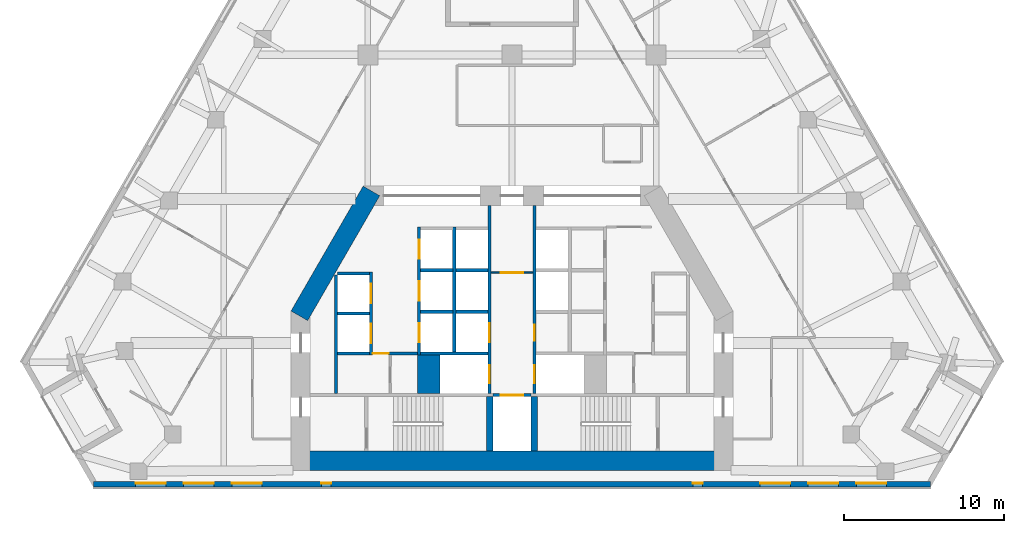
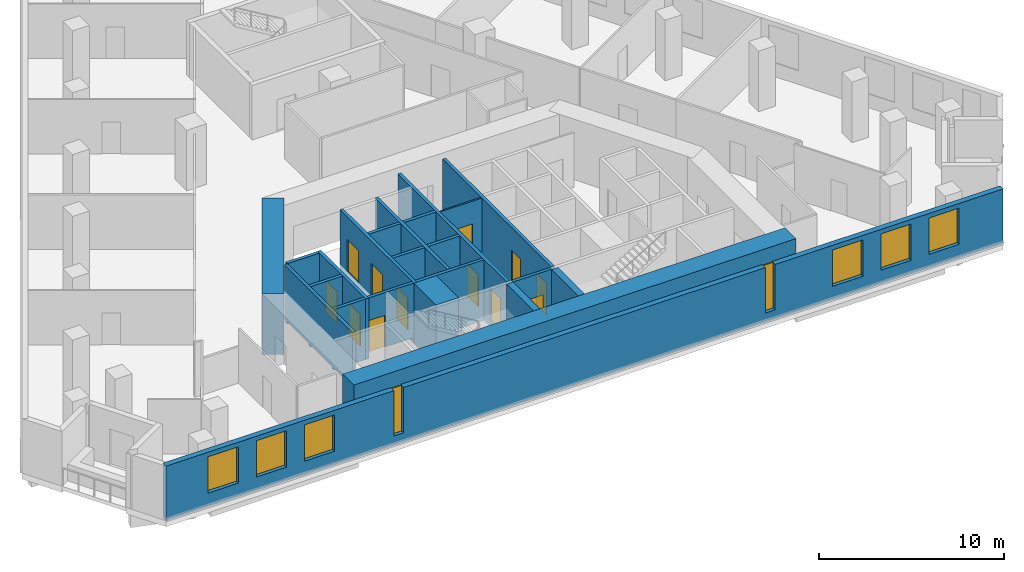
# One storey, part 4 of 9: 23 walls, 12 doors, 8 windows, 20 openings.
"""IFC4 building model written with IfcOpenShell, lengths in metres."""

from ifc_helpers import new_model, si_unit, direction, frame, frame_2d, origin, place, context, subcontext, project, spatial, rectangle, extrude, material, layer, layer_set, type_object, element, fill, save


model = new_model("IFC4")

# Units and contexts
model_context = context("Model", 3, precision=1e-05, world=origin(), true_north=direction((0.0, 1.0)))
body_context = subcontext(model_context, "Body", "Model", "MODEL_VIEW")
ifc_project = project(units=[si_unit("LENGTHUNIT", "METRE"), si_unit("AREAUNIT", "SQUARE_METRE"), si_unit("VOLUMEUNIT", "CUBIC_METRE"), si_unit("PLANEANGLEUNIT", "RADIAN"), si_unit("MASSUNIT", "GRAM", prefix="KILO")], contexts=[model_context])

# Site, building, storey
site_placement = place(None, origin())
site = spatial("IfcSite", under=ifc_project, at=site_placement, CompositionType="ELEMENT")
building_placement = place(site_placement, origin())
building = spatial("IfcBuilding", under=site, at=building_placement, Name="Fogline Exchange Tower", CompositionType="ELEMENT")
storey_placement = place(building_placement, frame((0.0, 0.0, 96.10009765625)))
storey = spatial("IfcBuildingStorey", under=building, at=storey_placement, Name="L20", CompositionType="ELEMENT", Elevation=96.10009765625)

# Wall, opening, door
ifc_material_1 = material(Name="Blockwork partition", Category="masonry")
ifc_layer_1 = layer(ifc_material_1, 0.10009765625)
ifc_layer_set_1 = layer_set([ifc_layer_1], Name="CW10")
wall_type_1 = type_object("IfcWallType", Name="CW10", PredefinedType="PARTITIONING", material=ifc_layer_set_1)
wall_1_placement = place(storey_placement, frame((-1.300048828125, 13.39990234375, 0.0), z_axis=(0.0, 0.0, 1.0), x_axis=(1.0, 0.0, 0.0)))
wall_1 = element("IfcWall", 1, at=wall_1_placement, inside=storey, type_object=wall_type_1, Name="Lift lobby partition", PredefinedType="PARTITIONING", context=body_context, shape_type="SweptSolid", body=[
    extrude(rectangle(XDim=2.60009765625, YDim=0.10009765625, at=frame_2d((1.300048828125, 0.0))), origin(), (0.0, 0.0, 1.0), 3.599853515625),
])
opening_1_placement = place(wall_1_placement, frame((0.60009765625, 0.0, 0.0)))
opening_1 = element("IfcOpeningElement", 2, at=opening_1_placement, cuts=wall_1, Name="Opening T06-C018", PredefinedType="OPENING", context=body_context, shape_type="SweptSolid", body=[
    extrude(rectangle(XDim=1.39990234375, YDim=2.10009765625, at=frame_2d((0.699951171875, 1.050048828125))), frame((0.0, 0.06005859375, 0.0), z_axis=(0.0, -1.0, 0.0), x_axis=(1.0, 0.0, 0.0)), (0.0, 0.0, 1.0), 0.1201171875),
])
ifc_material_2 = material(Name="Steel and timber fire door", Category="steel")
door_type_1 = type_object("IfcDoorType", Name="D-LB1", OperationType="DOUBLE_DOOR_SINGLE_SWING", PredefinedType="DOOR", material=ifc_material_2)
door_1_placement = place(opening_1_placement, origin())
door_1 = element("IfcDoor", 3, at=door_1_placement, inside=storey, type_object=door_type_1, Name="Door to firefighting lift lobby", OperationType="DOUBLE_DOOR_SINGLE_SWING", OverallHeight=2.10009765625, OverallWidth=1.39990234375, PredefinedType="DOOR", context=body_context, shape_type="SweptSolid", body=[
    extrude(rectangle(XDim=1.39990234375, YDim=2.10009765625, at=frame_2d((0.699951171875, 1.050048828125))), frame((0.0, 0.02490234375, 0.0), z_axis=(0.0, -1.0, 0.0), x_axis=(1.0, 0.0, 0.0)), (0.0, 0.0, 1.0), 0.050048828125),
])
fill(opening_1, door_1)

# Walls
ifc_material_3 = material(Name="Concrete C60", Category="concrete")
ifc_layer_2 = layer(ifc_material_3, 1.39990234375)
ifc_layer_set_2 = layer_set([ifc_layer_2], Name="CW140")
wall_type_2 = type_object("IfcWallType", Name="CW140", PredefinedType="SOLIDWALL", material=ifc_layer_set_2)
wall_2_placement = place(storey_placement, frame((-5.199951171875, 5.85009765625, -0.400146484375), z_axis=(0.0, 0.0, 1.0), x_axis=(0.0, 1.0, 0.0)))
element("IfcWall", 4, at=wall_2_placement, inside=storey, type_object=wall_type_2, Name="Lift shaft block wall", PredefinedType="SOLIDWALL", context=body_context, shape_type="SweptSolid", body=[
    extrude(rectangle(XDim=2.39990234375, YDim=1.39990234375, at=frame_2d((1.199951171875, 0.0))), origin(), (0.0, 0.0, 1.0), 4.0),
])
ifc_material_4 = material(Name="Concrete C40", Category="concrete")
ifc_layer_3 = layer(ifc_material_4, 0.199951171875)
ifc_layer_set_3 = layer_set([ifc_layer_3], Name="CW20")
wall_type_3 = type_object("IfcWallType", Name="CW20", PredefinedType="SOLIDWALL", material=ifc_layer_set_3)
wall_3_placement = place(storey_placement, frame((-11.0, 5.85009765625, 0.0), z_axis=(0.0, 0.0, 1.0), x_axis=(0.0, 1.0, 0.0)))
element("IfcWall", 5, at=wall_3_placement, inside=storey, type_object=wall_type_3, Name="Service room wall", PredefinedType="SOLIDWALL", context=body_context, shape_type="SweptSolid", body=[
    extrude(rectangle(XDim=7.39990234375, YDim=0.199951171875, at=frame_2d((3.699951171875, 0.0))), origin(), (0.0, 0.0, 1.0), 3.599853515625),
])

# Wall, opening, door
wall_4_placement = place(storey_placement, frame((-8.699951171875, 8.35009765625, 0.0), z_axis=(0.0, 0.0, 1.0), x_axis=(1.0, 0.0, 0.0)))
wall_4 = element("IfcWall", 6, at=wall_4_placement, inside=storey, type_object=wall_type_3, Name="WC wall", PredefinedType="SOLIDWALL", context=body_context, shape_type="SweptSolid", body=[
    extrude(rectangle(XDim=2.800048828125, YDim=0.199951171875, at=frame_2d((1.39990234375, 0.0))), origin(), (0.0, 0.0, 1.0), 3.599853515625),
])
opening_2_placement = place(wall_4_placement, origin())
opening_2 = element("IfcOpeningElement", 7, at=opening_2_placement, cuts=wall_4, Name="Opening T06-C007", PredefinedType="OPENING", context=body_context, shape_type="SweptSolid", body=[
    extrude(rectangle(XDim=1.0, YDim=2.10009765625, at=frame_2d((0.5, 1.050048828125))), frame((0.0, 0.10986328125, 0.0), z_axis=(0.0, -1.0, 0.0), x_axis=(1.0, 0.0, 0.0)), (0.0, 0.0, 1.0), 0.219970703125),
])
door_type_2 = type_object("IfcDoorType", Name="D-WC1", OperationType="SINGLE_SWING_LEFT", PredefinedType="DOOR", material=ifc_material_2)
door_2_placement = place(opening_2_placement, frame((1.0, 0.0, 0.0), z_axis=(0.0, 0.0, 1.0), x_axis=(-1.0, 0.0, 0.0)))
door_2 = element("IfcDoor", 8, at=door_2_placement, inside=storey, type_object=door_type_2, Name="Door to Men's WC", OperationType="SINGLE_SWING_LEFT", OverallHeight=2.10009765625, OverallWidth=1.0, PredefinedType="DOOR", context=body_context, shape_type="SweptSolid", body=[
    extrude(rectangle(XDim=1.0, YDim=2.10009765625, at=frame_2d((0.5, 1.050048828125))), frame((0.0, 0.02490234375, 0.0), z_axis=(0.0, -1.0, 0.0), x_axis=(1.0, 0.0, 0.0)), (0.0, 0.0, 1.0), 0.050048828125),
])
fill(opening_2, door_2)

ifc_layer_4 = layer(ifc_material_4, 0.199951171875)
ifc_layer_set_4 = layer_set([ifc_layer_4], Name="CW20R")
wall_type_4 = type_object("IfcWallType", Name="CW20R", PredefinedType="SOLIDWALL", material=ifc_layer_set_4)
wall_5_placement = place(storey_placement, frame((-1.199951171875, 5.75, -0.400146484375), z_axis=(0.0, 0.0, 1.0), x_axis=(1.0, 0.0, 0.0)))
wall_5 = element("IfcWall", 9, at=wall_5_placement, inside=storey, type_object=wall_type_4, Name="Stair enclosure wall", PredefinedType="SOLIDWALL", context=body_context, shape_type="SweptSolid", body=[
    extrude(rectangle(XDim=2.39990234375, YDim=0.199951171875, at=frame_2d((1.199951171875, 0.0))), origin(), (0.0, 0.0, 1.0), 4.0),
])
opening_3_placement = place(wall_5_placement, frame((0.5, 0.0, 0.39990234375)))
opening_3 = element("IfcOpeningElement", 10, at=opening_3_placement, cuts=wall_5, Name="Opening T06-LD09", PredefinedType="OPENING", context=body_context, shape_type="SweptSolid", body=[
    extrude(rectangle(XDim=1.39990234375, YDim=2.10009765625, at=frame_2d((0.699951171875, 1.050048828125))), frame((0.0, 0.10986328125, 0.0), z_axis=(0.0, -1.0, 0.0), x_axis=(1.0, 0.0, 0.0)), (0.0, 0.0, 1.0), 0.219970703125),
])
door_type_3 = type_object("IfcDoorType", Name="LD3", OperationType="SLIDING_TO_LEFT", PredefinedType="DOOR", material=ifc_material_2)
door_3_placement = place(opening_3_placement, origin())
door_3 = element("IfcDoor", 11, at=door_3_placement, inside=storey, type_object=door_type_3, Name="Landing door GL1", OperationType="SLIDING_TO_LEFT", OverallHeight=2.10009765625, OverallWidth=1.39990234375, PredefinedType="DOOR", context=body_context, shape_type="SweptSolid", body=[
    extrude(rectangle(XDim=1.39990234375, YDim=2.10009765625, at=frame_2d((0.699951171875, 1.050048828125))), frame((0.0, 0.02490234375, 0.0), z_axis=(0.0, -1.0, 0.0), x_axis=(1.0, 0.0, 0.0)), (0.0, 0.0, 1.0), 0.050048828125),
])
fill(opening_3, door_3)

# Wall, openings, doors
ifc_layer_5 = layer(ifc_material_4, 0.199951171875)
ifc_layer_set_5 = layer_set([ifc_layer_5], Name="CW20S")
wall_type_5 = type_object("IfcWallType", Name="CW20S", PredefinedType="SOLIDWALL", material=ifc_layer_set_5)
wall_6_placement = place(storey_placement, frame((-8.800048828125, 8.25, -0.400146484375), z_axis=(0.0, 0.0, 1.0), x_axis=(0.0, 1.0, 0.0)))
wall_6 = element("IfcWall", 12, at=wall_6_placement, inside=storey, type_object=wall_type_5, Name="Lift shaft wall", PredefinedType="SOLIDWALL", context=body_context, shape_type="SweptSolid", body=[
    extrude(rectangle(XDim=5.199951171875, YDim=0.199951171875, at=frame_2d((2.60009765625, 0.0))), origin(), (0.0, 0.0, 1.0), 4.0),
])
opening_4_placement = place(wall_6_placement, frame((0.75, 0.0, 0.39990234375)))
opening_4 = element("IfcOpeningElement", 13, at=opening_4_placement, cuts=wall_6, Name="Opening T06-LD01", PredefinedType="OPENING", context=body_context, shape_type="SweptSolid", body=[
    extrude(rectangle(XDim=1.199951171875, YDim=2.10009765625, at=frame_2d((0.60009765625, 1.050048828125))), frame((0.0, 0.10986328125, 0.0), z_axis=(0.0, -1.0, 0.0), x_axis=(1.0, 0.0, 0.0)), (0.0, 0.0, 1.0), 0.219970703125),
])
opening_5_placement = place(wall_6_placement, frame((3.25, 0.0, 0.39990234375)))
opening_5 = element("IfcOpeningElement", 14, at=opening_5_placement, cuts=wall_6, Name="Opening T06-LD02", PredefinedType="OPENING", context=body_context, shape_type="SweptSolid", body=[
    extrude(rectangle(XDim=1.199951171875, YDim=2.10009765625, at=frame_2d((0.60009765625, 1.050048828125))), frame((0.0, 0.10986328125, 0.0), z_axis=(0.0, -1.0, 0.0), x_axis=(1.0, 0.0, 0.0)), (0.0, 0.0, 1.0), 0.219970703125),
])
door_type_4 = type_object("IfcDoorType", Name="LD1", OperationType="SLIDING_TO_LEFT", PredefinedType="DOOR", material=ifc_material_2)
door_4_placement = place(opening_4_placement, origin())
door_4 = element("IfcDoor", 15, at=door_4_placement, inside=storey, type_object=door_type_4, Name="Landing door LR1", OperationType="SLIDING_TO_LEFT", OverallHeight=2.10009765625, OverallWidth=1.199951171875, PredefinedType="DOOR", context=body_context, shape_type="SweptSolid", body=[
    extrude(rectangle(XDim=1.199951171875, YDim=2.10009765625, at=frame_2d((0.60009765625, 1.050048828125))), frame((0.0, 0.02490234375, 0.0), z_axis=(0.0, -1.0, 0.0), x_axis=(1.0, 0.0, 0.0)), (0.0, 0.0, 1.0), 0.050048828125),
])
fill(opening_4, door_4)
door_5_placement = place(opening_5_placement, origin())
door_5 = element("IfcDoor", 16, at=door_5_placement, inside=storey, type_object=door_type_4, Name="Landing door LR2", OperationType="SLIDING_TO_LEFT", OverallHeight=2.10009765625, OverallWidth=1.199951171875, PredefinedType="DOOR", context=body_context, shape_type="SweptSolid", body=[
    extrude(rectangle(XDim=1.199951171875, YDim=2.10009765625, at=frame_2d((0.60009765625, 1.050048828125))), frame((0.0, 0.02490234375, 0.0), z_axis=(0.0, -1.0, 0.0), x_axis=(1.0, 0.0, 0.0)), (0.0, 0.0, 1.0), 0.050048828125),
])
fill(opening_5, door_5)

wall_7_placement = place(storey_placement, frame((-5.800048828125, 8.25, -0.400146484375), z_axis=(0.0, 0.0, 1.0), x_axis=(0.0, 1.0, 0.0)))
wall_7 = element("IfcWall", 17, at=wall_7_placement, inside=storey, type_object=wall_type_5, Name="Lift shaft wall", PredefinedType="SOLIDWALL", context=body_context, shape_type="SweptSolid", body=[
    extrude(rectangle(XDim=8.0, YDim=0.199951171875, at=frame_2d((4.0, 0.0))), origin(), (0.0, 0.0, 1.0), 4.0),
])
opening_6_placement = place(wall_7_placement, frame((0.800048828125, 0.0, 0.39990234375)))
opening_6 = element("IfcOpeningElement", 18, at=opening_6_placement, cuts=wall_7, Name="Opening T06-LD03", PredefinedType="OPENING", context=body_context, shape_type="SweptSolid", body=[
    extrude(rectangle(XDim=1.199951171875, YDim=2.10009765625, at=frame_2d((0.60009765625, 1.050048828125))), frame((0.0, 0.10986328125, 0.0), z_axis=(0.0, -1.0, 0.0), x_axis=(1.0, 0.0, 0.0)), (0.0, 0.0, 1.0), 0.219970703125),
])
opening_7_placement = place(wall_7_placement, frame((3.39990234375, 0.0, 0.39990234375)))
opening_7 = element("IfcOpeningElement", 19, at=opening_7_placement, cuts=wall_7, Name="Opening T06-LD04", PredefinedType="OPENING", context=body_context, shape_type="SweptSolid", body=[
    extrude(rectangle(XDim=1.199951171875, YDim=2.10009765625, at=frame_2d((0.60009765625, 1.050048828125))), frame((0.0, 0.10986328125, 0.0), z_axis=(0.0, -1.0, 0.0), x_axis=(1.0, 0.0, 0.0)), (0.0, 0.0, 1.0), 0.219970703125),
])
opening_8_placement = place(wall_7_placement, frame((6.0, 0.0, 0.39990234375)))
opening_8 = element("IfcOpeningElement", 20, at=opening_8_placement, cuts=wall_7, Name="Opening T06-LD05", PredefinedType="OPENING", context=body_context, shape_type="SweptSolid", body=[
    extrude(rectangle(XDim=1.199951171875, YDim=2.10009765625, at=frame_2d((0.60009765625, 1.050048828125))), frame((0.0, 0.10986328125, 0.0), z_axis=(0.0, -1.0, 0.0), x_axis=(1.0, 0.0, 0.0)), (0.0, 0.0, 1.0), 0.219970703125),
])
door_6_placement = place(opening_6_placement, origin())
door_6 = element("IfcDoor", 21, at=door_6_placement, inside=storey, type_object=door_type_4, Name="Landing door LR3", OperationType="SLIDING_TO_LEFT", OverallHeight=2.10009765625, OverallWidth=1.199951171875, PredefinedType="DOOR", context=body_context, shape_type="SweptSolid", body=[
    extrude(rectangle(XDim=1.199951171875, YDim=2.10009765625, at=frame_2d((0.60009765625, 1.050048828125))), frame((0.0, 0.02490234375, 0.0), z_axis=(0.0, -1.0, 0.0), x_axis=(1.0, 0.0, 0.0)), (0.0, 0.0, 1.0), 0.050048828125),
])
fill(opening_6, door_6)
door_7_placement = place(opening_7_placement, origin())
door_7 = element("IfcDoor", 22, at=door_7_placement, inside=storey, type_object=door_type_4, Name="Landing door LR4", OperationType="SLIDING_TO_LEFT", OverallHeight=2.10009765625, OverallWidth=1.199951171875, PredefinedType="DOOR", context=body_context, shape_type="SweptSolid", body=[
    extrude(rectangle(XDim=1.199951171875, YDim=2.10009765625, at=frame_2d((0.60009765625, 1.050048828125))), frame((0.0, 0.02490234375, 0.0), z_axis=(0.0, -1.0, 0.0), x_axis=(1.0, 0.0, 0.0)), (0.0, 0.0, 1.0), 0.050048828125),
])
fill(opening_7, door_7)
door_8_placement = place(opening_8_placement, origin())
door_8 = element("IfcDoor", 23, at=door_8_placement, inside=storey, type_object=door_type_4, Name="Landing door LR5", OperationType="SLIDING_TO_LEFT", OverallHeight=2.10009765625, OverallWidth=1.199951171875, PredefinedType="DOOR", context=body_context, shape_type="SweptSolid", body=[
    extrude(rectangle(XDim=1.199951171875, YDim=2.10009765625, at=frame_2d((0.60009765625, 1.050048828125))), frame((0.0, 0.02490234375, 0.0), z_axis=(0.0, -1.0, 0.0), x_axis=(1.0, 0.0, 0.0)), (0.0, 0.0, 1.0), 0.050048828125),
])
fill(opening_8, door_8)

# Wall
wall_8_placement = place(storey_placement, frame((-3.60009765625, 8.449951171875, -0.400146484375), z_axis=(0.0, 0.0, 1.0), x_axis=(0.0, 1.0, 0.0)))
element("IfcWall", 24, at=wall_8_placement, inside=storey, type_object=wall_type_5, Name="Lift shaft wall", PredefinedType="SOLIDWALL", context=body_context, shape_type="SweptSolid", body=[
    extrude(rectangle(XDim=7.800048828125, YDim=0.199951171875, at=frame_2d((3.89990234375, 0.0))), origin(), (0.0, 0.0, 1.0), 4.0),
])

# Wall, openings, doors
wall_9_placement = place(storey_placement, frame((-1.39990234375, 5.85009765625, -0.400146484375), z_axis=(0.0, 0.0, 1.0), x_axis=(0.0, 1.0, 0.0)))
wall_9 = element("IfcWall", 25, at=wall_9_placement, inside=storey, type_object=wall_type_5, Name="Lift lobby wall", PredefinedType="SOLIDWALL", context=body_context, shape_type="SweptSolid", body=[
    extrude(rectangle(XDim=11.75, YDim=0.199951171875, at=frame_2d((5.875, 0.0))), origin(), (0.0, 0.0, 1.0), 4.0),
])
opening_9_placement = place(wall_9_placement, frame((3.199951171875, 0.0, 0.39990234375)))
opening_9 = element("IfcOpeningElement", 26, at=opening_9_placement, cuts=wall_9, Name="Opening T06-LD06", PredefinedType="OPENING", context=body_context, shape_type="SweptSolid", body=[
    extrude(rectangle(XDim=1.199951171875, YDim=2.10009765625, at=frame_2d((0.60009765625, 1.050048828125))), frame((0.0, 0.10986328125, 0.0), z_axis=(0.0, -1.0, 0.0), x_axis=(1.0, 0.0, 0.0)), (0.0, 0.0, 1.0), 0.219970703125),
])
opening_10_placement = place(wall_9_placement, frame((0.64990234375, 0.0, 0.39990234375)))
opening_10 = element("IfcOpeningElement", 27, at=opening_10_placement, cuts=wall_9, Name="Opening T06-LD07", PredefinedType="OPENING", context=body_context, shape_type="SweptSolid", body=[
    extrude(rectangle(XDim=1.10009765625, YDim=2.10009765625, at=frame_2d((0.550048828125, 1.050048828125))), frame((0.0, 0.10986328125, 0.0), z_axis=(0.0, -1.0, 0.0), x_axis=(1.0, 0.0, 0.0)), (0.0, 0.0, 1.0), 0.219970703125),
])
door_9_placement = place(opening_9_placement, origin())
door_9 = element("IfcDoor", 28, at=door_9_placement, inside=storey, type_object=door_type_4, Name="Landing door LR6", OperationType="SLIDING_TO_LEFT", OverallHeight=2.10009765625, OverallWidth=1.199951171875, PredefinedType="DOOR", context=body_context, shape_type="SweptSolid", body=[
    extrude(rectangle(XDim=1.199951171875, YDim=2.10009765625, at=frame_2d((0.60009765625, 1.050048828125))), frame((0.0, 0.02490234375, 0.0), z_axis=(0.0, -1.0, 0.0), x_axis=(1.0, 0.0, 0.0)), (0.0, 0.0, 1.0), 0.050048828125),
])
fill(opening_9, door_9)
door_type_5 = type_object("IfcDoorType", Name="LD2", OperationType="SLIDING_TO_RIGHT", PredefinedType="DOOR", material=ifc_material_2)
door_10_placement = place(opening_10_placement, origin())
door_10 = element("IfcDoor", 29, at=door_10_placement, inside=storey, type_object=door_type_5, Name="Landing door FF1", OperationType="SLIDING_TO_RIGHT", OverallHeight=2.10009765625, OverallWidth=1.10009765625, PredefinedType="DOOR", context=body_context, shape_type="SweptSolid", body=[
    extrude(rectangle(XDim=1.10009765625, YDim=2.10009765625, at=frame_2d((0.550048828125, 1.050048828125))), frame((0.0, 0.02490234375, 0.0), z_axis=(0.0, -1.0, 0.0), x_axis=(1.0, 0.0, 0.0)), (0.0, 0.0, 1.0), 0.050048828125),
])
fill(opening_10, door_10)

wall_10_placement = place(storey_placement, frame((1.39990234375, 5.85009765625, -0.400146484375), z_axis=(0.0, 0.0, 1.0), x_axis=(0.0, 1.0, 0.0)))
wall_10 = element("IfcWall", 30, at=wall_10_placement, inside=storey, type_object=wall_type_5, Name="Lift lobby wall", PredefinedType="SOLIDWALL", context=body_context, shape_type="SweptSolid", body=[
    extrude(rectangle(XDim=11.75, YDim=0.199951171875, at=frame_2d((5.875, 0.0))), origin(), (0.0, 0.0, 1.0), 4.0),
])
opening_11_placement = place(wall_10_placement, frame((0.64990234375, 0.0, 0.39990234375)))
opening_11 = element("IfcOpeningElement", 31, at=opening_11_placement, cuts=wall_10, Name="Opening T06-LD08", PredefinedType="OPENING", context=body_context, shape_type="SweptSolid", body=[
    extrude(rectangle(XDim=1.10009765625, YDim=2.10009765625, at=frame_2d((0.550048828125, 1.050048828125))), frame((0.0, 0.10986328125, 0.0), z_axis=(0.0, -1.0, 0.0), x_axis=(1.0, 0.0, 0.0)), (0.0, 0.0, 1.0), 0.219970703125),
])
opening_12_placement = place(wall_10_placement, frame((3.300048828125, 0.0, 0.39990234375)))
opening_12 = element("IfcOpeningElement", 32, at=opening_12_placement, cuts=wall_10, Name="Opening T06-C006", PredefinedType="OPENING", context=body_context, shape_type="SweptSolid", body=[
    extrude(rectangle(XDim=1.0, YDim=2.10009765625, at=frame_2d((0.5, 1.050048828125))), frame((0.0, 0.10986328125, 0.0), z_axis=(0.0, -1.0, 0.0), x_axis=(1.0, 0.0, 0.0)), (0.0, 0.0, 1.0), 0.219970703125),
])
door_type_6 = type_object("IfcDoorType", Name="D-RM1", OperationType="SINGLE_SWING_LEFT", PredefinedType="DOOR", material=ifc_material_2)
door_11_placement = place(opening_12_placement, frame((1.0, 0.0, 0.0), z_axis=(0.0, 0.0, 1.0), x_axis=(-1.0, 0.0, 0.0)))
door_11 = element("IfcDoor", 33, at=door_11_placement, inside=storey, type_object=door_type_6, Name="Door to Cable Store", OperationType="SINGLE_SWING_RIGHT", OverallHeight=2.10009765625, OverallWidth=1.0, PredefinedType="DOOR", context=body_context, shape_type="SweptSolid", body=[
    extrude(rectangle(XDim=1.0, YDim=2.10009765625, at=frame_2d((0.5, 1.050048828125))), frame((0.0, 0.02490234375, 0.0), z_axis=(0.0, -1.0, 0.0), x_axis=(1.0, 0.0, 0.0)), (0.0, 0.0, 1.0), 0.050048828125),
])
fill(opening_12, door_11)
door_12_placement = place(opening_11_placement, origin())
door_12 = element("IfcDoor", 34, at=door_12_placement, inside=storey, type_object=door_type_5, Name="Landing door FF2", OperationType="SLIDING_TO_RIGHT", OverallHeight=2.10009765625, OverallWidth=1.10009765625, PredefinedType="DOOR", context=body_context, shape_type="SweptSolid", body=[
    extrude(rectangle(XDim=1.10009765625, YDim=2.10009765625, at=frame_2d((0.550048828125, 1.050048828125))), frame((0.0, 0.02490234375, 0.0), z_axis=(0.0, -1.0, 0.0), x_axis=(1.0, 0.0, 0.0)), (0.0, 0.0, 1.0), 0.050048828125),
])
fill(opening_11, door_12)

# Walls
wall_11_placement = place(storey_placement, frame((-10.89990234375, 8.35009765625, -0.400146484375), z_axis=(0.0, 0.0, 1.0), x_axis=(1.0, 0.0, 0.0)))
element("IfcWall", 35, at=wall_11_placement, inside=storey, type_object=wall_type_5, Name="Lift shaft wall", PredefinedType="SOLIDWALL", context=body_context, shape_type="SweptSolid", body=[
    extrude(rectangle(XDim=2.0, YDim=0.199951171875, at=frame_2d((1.0, 0.0))), origin(), (0.0, 0.0, 1.0), 4.0),
])
wall_12_placement = place(storey_placement, frame((-5.699951171875, 8.35009765625, -0.400146484375), z_axis=(0.0, 0.0, 1.0), x_axis=(1.0, 0.0, 0.0)))
element("IfcWall", 36, at=wall_12_placement, inside=storey, type_object=wall_type_5, Name="Lift shaft wall", PredefinedType="SOLIDWALL", context=body_context, shape_type="SweptSolid", body=[
    extrude(rectangle(XDim=4.199951171875, YDim=0.199951171875, at=frame_2d((2.10009765625, 0.0))), origin(), (0.0, 0.0, 1.0), 4.0),
])
for number, where, z_axis, x_axis, name in (
    (37, (-10.89990234375, 10.85009765625, -0.400146484375), (0.0, 0.0, 1.0), (1.0, 0.0, 0.0), "Lift shaft wall"),
    (38, (-10.89990234375, 13.35009765625, -0.400146484375), (0.0, 0.0, 1.0), (1.0, 0.0, 0.0), "Lift shaft wall"),
    (39, (-5.699951171875, 10.949951171875, -0.400146484375), (0.0, 0.0, 1.0), (1.0, 0.0, 0.0), "Lift shaft wall"),
    (40, (-5.699951171875, 13.550048828125, -0.400146484375), (0.0, 0.0, 1.0), (1.0, 0.0, 0.0), "Lift shaft wall"),
    (41, (-3.5, 10.949951171875, -0.400146484375), (0.0, 0.0, 1.0), (1.0, 0.0, 0.0), "Lift shaft wall"),
    (42, (-3.5, 13.550048828125, -0.400146484375), (0.0, 0.0, 1.0), (1.0, 0.0, 0.0), "Lift shaft wall"),
):
    element("IfcWall", number, at=place(storey_placement, frame(where, z_axis=z_axis, x_axis=x_axis)), inside=storey, type_object=wall_type_5, Name=name, PredefinedType="SOLIDWALL", context=body_context, shape_type="SweptSolid", body=[
        extrude(rectangle(XDim=2.0, YDim=0.199951171875, at=frame_2d((1.0, 0.0))), origin(), (0.0, 0.0, 1.0), 4.0),
    ])
ifc_layer_6 = layer(ifc_material_4, 0.39990234375)
ifc_layer_set_6 = layer_set([ifc_layer_6], Name="CW40R")
wall_type_6 = type_object("IfcWallType", Name="CW40R", PredefinedType="SOLIDWALL", material=ifc_layer_set_6)
for number, where, z_axis, x_axis, name in (
    (43, (-1.39990234375, 2.25, -0.400146484375), (0.0, 0.0, 1.0), (0.0, 1.0, 0.0), "Stair and lift shaft wall"),
    (44, (1.39990234375, 2.25, -0.400146484375), (0.0, 0.0, 1.0), (0.0, 1.0, 0.0), "Stair and lift shaft wall"),
):
    element("IfcWall", number, at=place(storey_placement, frame(where, z_axis=z_axis, x_axis=x_axis)), inside=storey, type_object=wall_type_6, Name=name, PredefinedType="SOLIDWALL", context=body_context, shape_type="SweptSolid", body=[
        extrude(rectangle(XDim=3.39990234375, YDim=0.39990234375, at=frame_2d((1.699951171875, 0.0))), origin(), (0.0, 0.0, 1.0), 4.0),
    ])

# Wall, openings, windows
ifc_material_5 = material(Name="Brick masonry", Category="masonry")
ifc_layer_7 = layer(ifc_material_5, 0.340087890625)
ifc_layer_set_7 = layer_set([ifc_layer_7], Name="FW1")
wall_type_7 = type_object("IfcWallType", Name="FW1", PredefinedType="SOLIDWALL", material=ifc_layer_set_7)
wall_13_placement = place(storey_placement, frame((-26.137939453125, 0.169921875, 0.0), z_axis=(0.0, 0.0, 1.0), x_axis=(1.0, 0.0, 0.0)))
wall_13 = element("IfcWall", 45, at=wall_13_placement, inside=storey, type_object=wall_type_7, Name="Brick wall L20 S", PredefinedType="SOLIDWALL", context=body_context, shape_type="SweptSolid", body=[
    extrude(rectangle(XDim=52.27587890625, YDim=0.340087890625, at=frame_2d((26.137939453125, 0.0))), origin(), (0.0, 0.0, 1.0), 3.599853515625),
])
opening_13_placement = place(wall_13_placement, frame((2.637939453125, 0.0, 0.89990234375)))
opening_13 = element("IfcOpeningElement", 46, at=opening_13_placement, cuts=wall_13, Name="Opening W1", PredefinedType="OPENING", context=body_context, shape_type="SweptSolid", body=[
    extrude(rectangle(XDim=1.885009765625, YDim=2.39990234375, at=frame_2d((0.9423828125, 1.199951171875))), frame((0.0, 0.18017578125, 0.0), z_axis=(0.0, -1.0, 0.0), x_axis=(1.0, 0.0, 0.0)), (0.0, 0.0, 1.0), 0.360107421875),
])
opening_14_placement = place(wall_13_placement, frame((5.637939453125, 0.0, 0.89990234375)))
opening_14 = element("IfcOpeningElement", 47, at=opening_14_placement, cuts=wall_13, Name="Opening W1", PredefinedType="OPENING", context=body_context, shape_type="SweptSolid", body=[
    extrude(rectangle(XDim=1.885009765625, YDim=2.39990234375, at=frame_2d((0.9423828125, 1.199951171875))), frame((0.0, 0.18017578125, 0.0), z_axis=(0.0, -1.0, 0.0), x_axis=(1.0, 0.0, 0.0)), (0.0, 0.0, 1.0), 0.360107421875),
])
opening_15_placement = place(wall_13_placement, frame((8.637939453125, 0.0, 0.89990234375)))
opening_15 = element("IfcOpeningElement", 48, at=opening_15_placement, cuts=wall_13, Name="Opening W1", PredefinedType="OPENING", context=body_context, shape_type="SweptSolid", body=[
    extrude(rectangle(XDim=1.885009765625, YDim=2.39990234375, at=frame_2d((0.9423828125, 1.199951171875))), frame((0.0, 0.18017578125, 0.0), z_axis=(0.0, -1.0, 0.0), x_axis=(1.0, 0.0, 0.0)), (0.0, 0.0, 1.0), 0.360107421875),
])
opening_16_placement = place(wall_13_placement, frame((41.637939453125, 0.0, 0.89990234375)))
opening_16 = element("IfcOpeningElement", 49, at=opening_16_placement, cuts=wall_13, Name="Opening W1", PredefinedType="OPENING", context=body_context, shape_type="SweptSolid", body=[
    extrude(rectangle(XDim=1.885009765625, YDim=2.39990234375, at=frame_2d((0.9423828125, 1.199951171875))), frame((0.0, 0.18017578125, 0.0), z_axis=(0.0, -1.0, 0.0), x_axis=(1.0, 0.0, 0.0)), (0.0, 0.0, 1.0), 0.360107421875),
])
opening_17_placement = place(wall_13_placement, frame((44.637939453125, 0.0, 0.89990234375)))
opening_17 = element("IfcOpeningElement", 50, at=opening_17_placement, cuts=wall_13, Name="Opening W1", PredefinedType="OPENING", context=body_context, shape_type="SweptSolid", body=[
    extrude(rectangle(XDim=1.885009765625, YDim=2.39990234375, at=frame_2d((0.9423828125, 1.199951171875))), frame((0.0, 0.18017578125, 0.0), z_axis=(0.0, -1.0, 0.0), x_axis=(1.0, 0.0, 0.0)), (0.0, 0.0, 1.0), 0.360107421875),
])
opening_18_placement = place(wall_13_placement, frame((47.637939453125, 0.0, 0.89990234375)))
opening_18 = element("IfcOpeningElement", 51, at=opening_18_placement, cuts=wall_13, Name="Opening W1", PredefinedType="OPENING", context=body_context, shape_type="SweptSolid", body=[
    extrude(rectangle(XDim=1.885009765625, YDim=2.39990234375, at=frame_2d((0.9423828125, 1.199951171875))), frame((0.0, 0.18017578125, 0.0), z_axis=(0.0, -1.0, 0.0), x_axis=(1.0, 0.0, 0.0)), (0.0, 0.0, 1.0), 0.360107421875),
])
opening_19_placement = place(wall_13_placement, frame((14.238037109375, 0.0, 0.60009765625)))
opening_19 = element("IfcOpeningElement", 52, at=opening_19_placement, cuts=wall_13, Name="Opening W5", PredefinedType="OPENING", context=body_context, shape_type="SweptSolid", body=[
    extrude(rectangle(XDim=0.60009765625, YDim=3.0, at=frame_2d((0.300048828125, 1.5))), frame((0.0, 0.18017578125, 0.0), z_axis=(0.0, -1.0, 0.0), x_axis=(1.0, 0.0, 0.0)), (0.0, 0.0, 1.0), 0.360107421875),
])
opening_20_placement = place(wall_13_placement, frame((37.43798828125, 0.0, 0.60009765625)))
opening_20 = element("IfcOpeningElement", 53, at=opening_20_placement, cuts=wall_13, Name="Opening W5", PredefinedType="OPENING", context=body_context, shape_type="SweptSolid", body=[
    extrude(rectangle(XDim=0.60009765625, YDim=3.0, at=frame_2d((0.300048828125, 1.5))), frame((0.0, 0.18017578125, 0.0), z_axis=(0.0, -1.0, 0.0), x_axis=(1.0, 0.0, 0.0)), (0.0, 0.0, 1.0), 0.360107421875),
])
ifc_material_6 = material(Name="Aluminium and glass", Category="aluminium")
window_type_1 = type_object("IfcWindowType", Name="W1", PartitioningType="SINGLE_PANEL", PredefinedType="WINDOW", material=ifc_material_6)
window_1_placement = place(opening_13_placement, origin())
window_1 = element("IfcWindow", 54, at=window_1_placement, inside=storey, type_object=window_type_1, Name="W1 W1", OverallHeight=2.39990234375, OverallWidth=1.885009765625, PartitioningType="SINGLE_PANEL", PredefinedType="WINDOW", context=body_context, shape_type="SweptSolid", body=[
    extrude(rectangle(XDim=1.885009765625, YDim=2.39990234375, at=frame_2d((0.9423828125, 1.199951171875))), frame((0.0, 0.110107421875, 0.0), z_axis=(0.0, -1.0, 0.0), x_axis=(1.0, 0.0, 0.0)), (0.0, 0.0, 1.0), 0.06005859375),
])
fill(opening_13, window_1)
window_2_placement = place(opening_14_placement, origin())
window_2 = element("IfcWindow", 55, at=window_2_placement, inside=storey, type_object=window_type_1, Name="W1 W1", OverallHeight=2.39990234375, OverallWidth=1.885009765625, PartitioningType="SINGLE_PANEL", PredefinedType="WINDOW", context=body_context, shape_type="SweptSolid", body=[
    extrude(rectangle(XDim=1.885009765625, YDim=2.39990234375, at=frame_2d((0.9423828125, 1.199951171875))), frame((0.0, 0.110107421875, 0.0), z_axis=(0.0, -1.0, 0.0), x_axis=(1.0, 0.0, 0.0)), (0.0, 0.0, 1.0), 0.06005859375),
])
fill(opening_14, window_2)
window_3_placement = place(opening_15_placement, origin())
window_3 = element("IfcWindow", 56, at=window_3_placement, inside=storey, type_object=window_type_1, Name="W1 W1", OverallHeight=2.39990234375, OverallWidth=1.885009765625, PartitioningType="SINGLE_PANEL", PredefinedType="WINDOW", context=body_context, shape_type="SweptSolid", body=[
    extrude(rectangle(XDim=1.885009765625, YDim=2.39990234375, at=frame_2d((0.9423828125, 1.199951171875))), frame((0.0, 0.110107421875, 0.0), z_axis=(0.0, -1.0, 0.0), x_axis=(1.0, 0.0, 0.0)), (0.0, 0.0, 1.0), 0.06005859375),
])
fill(opening_15, window_3)
window_4_placement = place(opening_16_placement, origin())
window_4 = element("IfcWindow", 57, at=window_4_placement, inside=storey, type_object=window_type_1, Name="W1 W1", OverallHeight=2.39990234375, OverallWidth=1.885009765625, PartitioningType="SINGLE_PANEL", PredefinedType="WINDOW", context=body_context, shape_type="SweptSolid", body=[
    extrude(rectangle(XDim=1.885009765625, YDim=2.39990234375, at=frame_2d((0.9423828125, 1.199951171875))), frame((0.0, 0.110107421875, 0.0), z_axis=(0.0, -1.0, 0.0), x_axis=(1.0, 0.0, 0.0)), (0.0, 0.0, 1.0), 0.06005859375),
])
fill(opening_16, window_4)
window_5_placement = place(opening_17_placement, origin())
window_5 = element("IfcWindow", 58, at=window_5_placement, inside=storey, type_object=window_type_1, Name="W1 W1", OverallHeight=2.39990234375, OverallWidth=1.885009765625, PartitioningType="SINGLE_PANEL", PredefinedType="WINDOW", context=body_context, shape_type="SweptSolid", body=[
    extrude(rectangle(XDim=1.885009765625, YDim=2.39990234375, at=frame_2d((0.9423828125, 1.199951171875))), frame((0.0, 0.110107421875, 0.0), z_axis=(0.0, -1.0, 0.0), x_axis=(1.0, 0.0, 0.0)), (0.0, 0.0, 1.0), 0.06005859375),
])
fill(opening_17, window_5)
window_6_placement = place(opening_18_placement, origin())
window_6 = element("IfcWindow", 59, at=window_6_placement, inside=storey, type_object=window_type_1, Name="W1 W1", OverallHeight=2.39990234375, OverallWidth=1.885009765625, PartitioningType="SINGLE_PANEL", PredefinedType="WINDOW", context=body_context, shape_type="SweptSolid", body=[
    extrude(rectangle(XDim=1.885009765625, YDim=2.39990234375, at=frame_2d((0.9423828125, 1.199951171875))), frame((0.0, 0.110107421875, 0.0), z_axis=(0.0, -1.0, 0.0), x_axis=(1.0, 0.0, 0.0)), (0.0, 0.0, 1.0), 0.06005859375),
])
fill(opening_18, window_6)
window_type_2 = type_object("IfcWindowType", Name="W5", PartitioningType="SINGLE_PANEL", PredefinedType="WINDOW", material=ifc_material_6)
window_7_placement = place(opening_19_placement, origin())
window_7 = element("IfcWindow", 60, at=window_7_placement, inside=storey, type_object=window_type_2, Name="W5 W5", OverallHeight=3.0, OverallWidth=0.60009765625, PartitioningType="SINGLE_PANEL", PredefinedType="WINDOW", context=body_context, shape_type="SweptSolid", body=[
    extrude(rectangle(XDim=0.60009765625, YDim=3.0, at=frame_2d((0.300048828125, 1.5))), frame((0.0, 0.110107421875, 0.0), z_axis=(0.0, -1.0, 0.0), x_axis=(1.0, 0.0, 0.0)), (0.0, 0.0, 1.0), 0.06005859375),
])
fill(opening_19, window_7)
window_8_placement = place(opening_20_placement, origin())
window_8 = element("IfcWindow", 61, at=window_8_placement, inside=storey, type_object=window_type_2, Name="W5 W5", OverallHeight=3.0, OverallWidth=0.60009765625, PartitioningType="SINGLE_PANEL", PredefinedType="WINDOW", context=body_context, shape_type="SweptSolid", body=[
    extrude(rectangle(XDim=0.60009765625, YDim=3.0, at=frame_2d((0.300048828125, 1.5))), frame((0.0, 0.110107421875, 0.0), z_axis=(0.0, -1.0, 0.0), x_axis=(1.0, 0.0, 0.0)), (0.0, 0.0, 1.0), 0.06005859375),
])
fill(opening_20, window_8)

# Walls
ifc_layer_8 = layer(ifc_material_3, 1.199951171875)
ifc_layer_set_8 = layer_set([ifc_layer_8], Name="SW02")
wall_type_8 = type_object("IfcWallType", Name="SW02", PredefinedType="SHEAR", material=ifc_layer_set_8)
wall_14_placement = place(storey_placement, frame((-13.800048828125, 1.64990234375, 0.0), z_axis=(0.0, 0.0, 1.0), x_axis=(1.0, 0.0, 0.0)))
element("IfcWall", 62, at=wall_14_placement, inside=storey, type_object=wall_type_8, Name="L20-W901", PredefinedType="SHEAR", context=body_context, shape_type="SweptSolid", body=[
    extrude(rectangle(XDim=27.60009765625, YDim=1.199951171875, at=frame_2d((13.800048828125, 0.0))), origin(), (0.0, 0.0, 1.0), 4.0),
])
wall_15_placement = place(storey_placement, frame((-8.776611328125, 18.5, 0.0), z_axis=(0.0, 0.0, 1.0), x_axis=(-0.499998513025, -0.866026262288, 0.0)))
element("IfcWall", 63, at=wall_15_placement, inside=storey, type_object=wall_type_8, Name="L20-W905", PredefinedType="SHEAR", context=body_context, shape_type="SweptSolid", body=[
    extrude(rectangle(XDim=9.0078125, YDim=1.199951171875, at=frame_2d((4.50390625, 0.0))), origin(), (0.0, 0.0, 1.0), 4.0),
])

save(model, "model.ifc")
